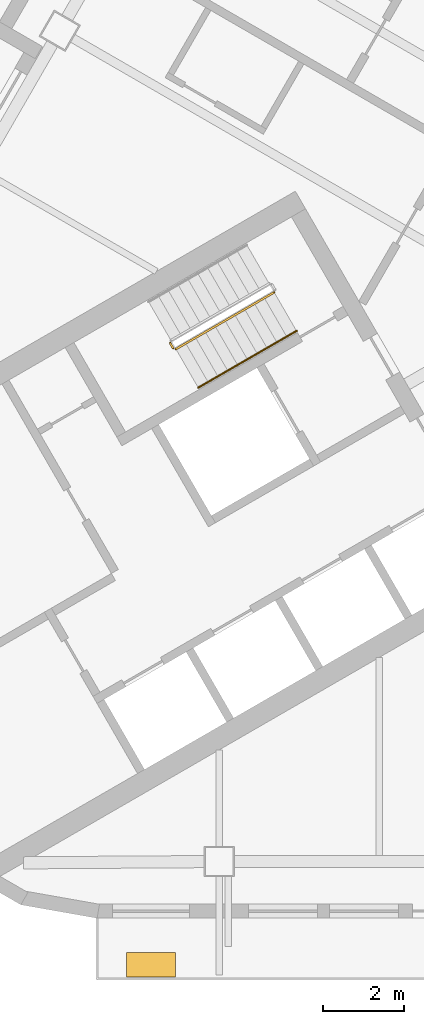
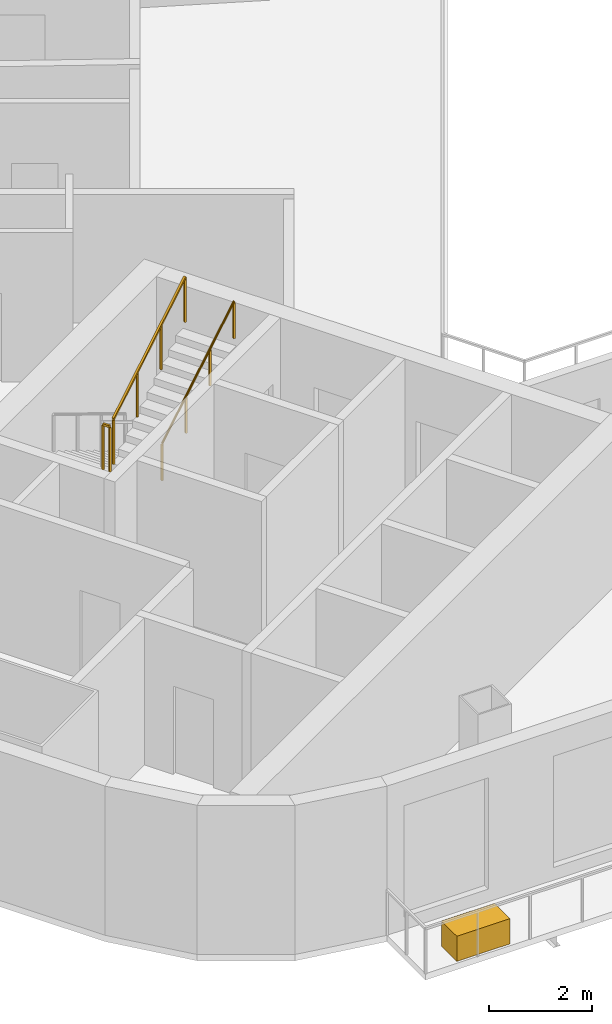
# One storey, part 9 of 14: 3 railings, 1 covering.
"""IFC4 building model written with IfcOpenShell, lengths in metres."""

from ifc_helpers import new_model, si_unit, direction, frame, origin, origin_2d, place, context, subcontext, project, spatial, rectangle, circle, extrude, material, type_object, element, save


model = new_model("IFC4")

# Units and contexts
model_context = context("Model", 3, precision=1e-05, world=origin(), true_north=direction((0.0, 1.0)))
body_context = subcontext(model_context, "Body", "Model", "MODEL_VIEW")
ifc_project = project(units=[si_unit("LENGTHUNIT", "METRE"), si_unit("AREAUNIT", "SQUARE_METRE"), si_unit("VOLUMEUNIT", "CUBIC_METRE"), si_unit("PLANEANGLEUNIT", "RADIAN"), si_unit("MASSUNIT", "GRAM", prefix="KILO")], contexts=[model_context])

# Site, building, storey
site_placement = place(None, origin())
site = spatial("IfcSite", under=ifc_project, at=site_placement, CompositionType="ELEMENT")
building_placement = place(site_placement, origin())
building = spatial("IfcBuilding", under=site, at=building_placement, Name="Apuvela Tower Hotel", CompositionType="ELEMENT")
storey_placement = place(building_placement, frame((0.0, 0.0, 220.60009765625)))
storey = spatial("IfcBuildingStorey", under=building, at=storey_placement, Name="L54", CompositionType="ELEMENT", Elevation=220.60009765625)

# Railings
ifc_material_1 = material(Name="Steel S275 balustrade", Category="steel")
railing_type_1 = type_object("IfcRailingType", Name="COR-GUARD-1100", PredefinedType="GUARDRAIL", material=ifc_material_1)
railing_1_placement = place(storey_placement, frame((-17.01220703125, -5.43408203125, 1.849853515625)))
element("IfcRailing", 1, at=railing_1_placement, inside=storey, type_object=railing_type_1, Name="L54 ST2 stair guard 2", PredefinedType="GUARDRAIL", context=body_context, shape_type="SweptSolid", body=[
    extrude(rectangle(XDim=0.048095703125, YDim=0.048095703125, at=origin_2d()), frame((0.0, 0.0, 1.076171875), z_axis=(0.499816412211, -0.866131372301, 0.0), x_axis=(0.866131372301, 0.499816412211, 0.0)), (0.0, 0.0, 1.0), 0.14990234375),
    extrude(rectangle(XDim=0.0419921875, YDim=0.0419921875, at=origin_2d()), origin(), (0.0, 0.0, 1.0), 1.052001953125),
    extrude(rectangle(XDim=0.0419921875, YDim=0.0419921875, at=origin_2d()), frame((0.074951171875, -0.1298828125, 0.0)), (0.0, 0.0, 1.0), 1.052001953125),
])
railing_2_placement = place(storey_placement, frame((-16.868896484375, -5.582275390625, 2.01806640625)))
element("IfcRailing", 2, at=railing_2_placement, inside=storey, type_object=railing_type_1, Name="L54 ST2 stair guard 3", PredefinedType="GUARDRAIL", context=body_context, shape_type="SweptSolid", body=[
    extrude(rectangle(XDim=0.048095703125, YDim=0.048095703125, at=origin_2d()), frame((0.0, 0.0, 1.076171875), z_axis=(0.742390482028, 0.42860119049, 0.514934356695), x_axis=(-0.49998411664, 0.866034573852, 0.0)), (0.0, 0.0, 1.0), 3.26611328125),
    extrude(rectangle(XDim=0.0419921875, YDim=0.0419921875, at=origin_2d()), origin(), (0.0, 0.0, 1.0), 1.052001953125),
    extrude(rectangle(XDim=0.0419921875, YDim=0.0419921875, at=origin_2d()), frame((0.808349609375, 0.466552734375, 0.560546875)), (0.0, 0.0, 1.0), 1.052001953125),
    extrude(rectangle(XDim=0.0419921875, YDim=0.0419921875, at=origin_2d()), frame((1.616455078125, 0.933349609375, 1.121337890625)), (0.0, 0.0, 1.0), 1.052001953125),
    extrude(rectangle(XDim=0.0419921875, YDim=0.0419921875, at=origin_2d()), frame((2.4248046875, 1.39990234375, 1.681884765625)), (0.0, 0.0, 1.0), 1.052001953125),
])
ifc_material_2 = material(Name="Stainless steel 316 handrail", Category="steel")
railing_type_2 = type_object("IfcRailingType", Name="COR-HANDRAIL-900", PredefinedType="HANDRAIL", material=ifc_material_2)
railing_3_placement = place(storey_placement, frame((-16.31884765625, -6.534912109375, 2.01806640625)))
element("IfcRailing", 3, at=railing_3_placement, inside=storey, type_object=railing_type_2, Name="L54 ST2 stair handrail 2", PredefinedType="HANDRAIL", context=body_context, shape_type="SweptSolid", body=[
    extrude(circle(Radius=0.02392578125, at=origin_2d()), frame((0.0, 0.0, 0.8759765625), z_axis=(0.742390482028, 0.42860119049, 0.514934356695), x_axis=(-0.49998411664, 0.866034573852, 0.0)), (0.0, 0.0, 1.0), 3.26611328125),
    extrude(rectangle(XDim=0.0419921875, YDim=0.0419921875, at=origin_2d()), origin(), (0.0, 0.0, 1.0), 0.851806640625),
    extrude(rectangle(XDim=0.0419921875, YDim=0.0419921875, at=origin_2d()), frame((0.808349609375, 0.466552734375, 0.560546875)), (0.0, 0.0, 1.0), 0.851806640625),
    extrude(rectangle(XDim=0.0419921875, YDim=0.0419921875, at=origin_2d()), frame((1.616455078125, 0.933349609375, 1.121337890625)), (0.0, 0.0, 1.0), 0.851806640625),
    extrude(rectangle(XDim=0.0419921875, YDim=0.0419921875, at=origin_2d()), frame((2.4248046875, 1.39990234375, 1.681884765625)), (0.0, 0.0, 1.0), 0.851806640625),
])

# Covering
ifc_material_3 = material(Name="Planting substrate and soil, planted")
covering_type = type_object("IfcCoveringType", Name="ENV-PLANTER-1200x600", PredefinedType="USERDEFINED", material=ifc_material_3)
covering_placement = place(storey_placement, frame((-17.485107421875, -20.780029296875, -0.000244140625), z_axis=(0.0, 0.0, 1.0), x_axis=(1.0, 0.0, 0.0)))
element("IfcCovering", 4, at=covering_placement, inside=storey, type_object=covering_type, Name="Planter S1", ObjectType="PLANTER", PredefinedType="USERDEFINED", context=body_context, shape_type="SweptSolid", body=[
    extrude(rectangle(XDim=1.199951171875, YDim=0.60009765625, at=origin_2d()), origin(), (0.0, 0.0, 1.0), 0.60009765625),
])

save(model, "model.ifc")
